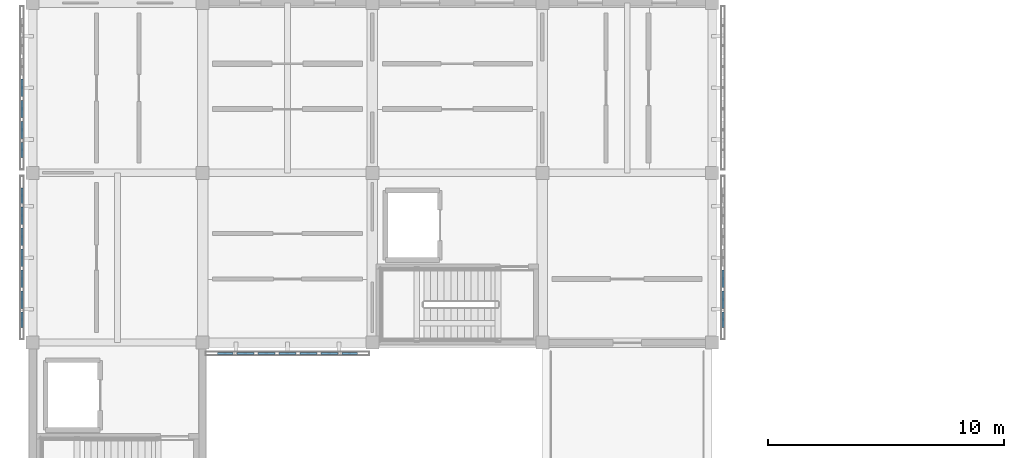
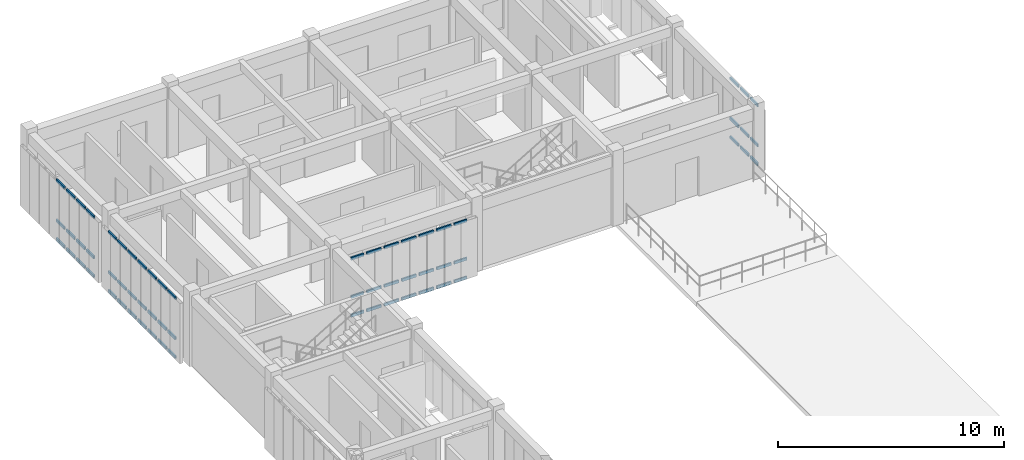
# One storey, part 9 of 33: 63 members, 4 elements without a shape of their own.
"""IFC4 building model written with IfcOpenShell, lengths in metres."""

import ifcopenshell
import ifcopenshell.guid

model = None  # the IFC model being written
_history = None  # IfcOwnerHistory: only IFC2X3 demands one
_inside = {}  # id of a spatial element -> (the spatial element, [elements in it])
_under = {}  # id of a project, library or spatial element -> (it, [spatial elements below it])
_declared = {}  # id of a project -> (the project, [libraries it declares])
_typed = {}  # id of a type object -> (the type object, [elements of that type])
_made_of = {}  # id of a material, layer set ... -> (it, [elements and type objects made of it])


def new_model(schema):
    """Start an empty IFC model of exactly this schema.

    Asked for "IFC4X3", IfcOpenShell would pick the latest addendum, in which some entities
    have other attributes; the version numbers below select the first issue.
    IFC2X3 requires an IfcOwnerHistory on every rooted entity: one is made here for all.
    """
    global model, _history
    if schema == "IFC4X3":
        model = ifcopenshell.file(schema_version=(4, 3, 0, 0))
    else:
        model = ifcopenshell.file(schema=schema)
    _inside.clear()
    _under.clear()
    _declared.clear()
    _typed.clear()
    _made_of.clear()
    _history = None
    if model.schema == "IFC2X3":
        org = make("IfcOrganization", Name="unknown")
        user = make(
            "IfcPersonAndOrganization",
            ThePerson=make("IfcPerson", FamilyName="unknown"),
            TheOrganization=org,
        )
        app = make(
            "IfcApplication",
            ApplicationDeveloper=org,
            Version="unknown",
            ApplicationFullName="unknown",
            ApplicationIdentifier="unknown",
        )
        _history = make(
            "IfcOwnerHistory",
            OwningUser=user,
            OwningApplication=app,
            ChangeAction="ADDED",
            CreationDate=0,
        )
    return model


def make(cls, **values):
    """One entity of the class cls with the attributes given. An attribute that is None is left unset."""
    return model.create_entity(
        cls, **{name: value for name, value in values.items() if value is not None}
    )


def rooted(cls, **values):
    """An entity with a GlobalId (a new one), such as an element, a storey or a relation."""
    return make(cls, GlobalId=ifcopenshell.guid.new(), OwnerHistory=_history, **values)


def si_unit(unit_type, name, prefix=None):
    """IfcSIUnit, for example si_unit("LENGTHUNIT", "METRE", prefix="MILLI")."""
    return make("IfcSIUnit", UnitType=unit_type, Prefix=prefix, Name=name)


def assignment(units):
    """IfcUnitAssignment: the units of a project."""
    return None if units is None else make("IfcUnitAssignment", Units=units)


def point(xyz):
    """IfcCartesianPoint."""
    return None if xyz is None else make("IfcCartesianPoint", Coordinates=xyz)


def direction(xyz):
    """IfcDirection."""
    return None if xyz is None else make("IfcDirection", DirectionRatios=xyz)


def frame(location, z_axis=None, x_axis=None):
    """IfcAxis2Placement3D, a coordinate frame: its origin and axes. An axis left out is left unset."""
    return make(
        "IfcAxis2Placement3D",
        Location=point(location),
        Axis=direction(z_axis),
        RefDirection=direction(x_axis),
    )


def frame_2d(location, x_axis=None):
    """IfcAxis2Placement2D, a coordinate frame in the plane: its origin and x axis."""
    return make(
        "IfcAxis2Placement2D", Location=point(location), RefDirection=direction(x_axis)
    )


def origin():
    """The frame at (0, 0, 0) with its axes left unset."""
    return frame((0.0, 0.0, 0.0))


def origin_2d():
    """The frame at (0, 0) in the plane with its x axis left unset."""
    return frame_2d((0.0, 0.0))


def place(relative_to, where):
    """IfcLocalPlacement: puts the frame where relative to a parent placement (None: the world)."""
    return make(
        "IfcLocalPlacement", PlacementRelTo=relative_to, RelativePlacement=where
    )


def context(
    kind, dimensions, precision=None, world=None, true_north=None, identifier=None
):
    """IfcGeometricRepresentationContext, for example the 3D "Model" context."""
    return make(
        "IfcGeometricRepresentationContext",
        ContextIdentifier=identifier,
        ContextType=kind,
        CoordinateSpaceDimension=dimensions,
        Precision=precision,
        WorldCoordinateSystem=world,
        TrueNorth=true_north,
    )


def subcontext(parent, identifier, kind, view, scale=None):
    """IfcGeometricRepresentationSubContext, for example "Body" below "Model"."""
    return make(
        "IfcGeometricRepresentationSubContext",
        ContextIdentifier=identifier,
        ContextType=kind,
        ParentContext=parent,
        TargetScale=scale,
        TargetView=view,
    )


def project(units=None, contexts=None):
    """IfcProject with its units and contexts."""
    return rooted(
        "IfcProject",
        Name="project",
        RepresentationContexts=contexts,
        UnitsInContext=assignment(units),
    )


def spatial(cls, under=None, at=None, **own):
    """A site, building, storey or space (cls), placed at a placement, below another one or the project."""
    s = rooted(cls, ObjectPlacement=at, **own)
    if under is not None:
        _under.setdefault(under.id(), (under, []))[1].append(s)
    return s


def profile(cls, at=None, kind="AREA", **sizes):
    """A parametric profile (cls). Its sizes go by their IFC names, for example OverallWidth=200.0."""
    return make(cls, ProfileType=kind, Position=at, **sizes)


def hollow_rectangle(**sizes):
    """IfcRectangleHollowProfileDef."""
    return profile("IfcRectangleHollowProfileDef", **sizes)


def extrude(swept, where, along, depth):
    """IfcExtrudedAreaSolid: the profile swept, set in the frame where, extruded along a direction by depth."""
    return make(
        "IfcExtrudedAreaSolid",
        SweptArea=swept,
        Position=where,
        ExtrudedDirection=direction(along),
        Depth=depth,
    )


def shape(context_of_items, identifier, shape_type, items):
    """IfcShapeRepresentation: the items that make up one representation, for example the "Body"."""
    return make(
        "IfcShapeRepresentation",
        ContextOfItems=context_of_items,
        RepresentationIdentifier=identifier,
        RepresentationType=shape_type,
        Items=items,
    )


def material(Name=None, Category=None):
    """IfcMaterial."""
    return make("IfcMaterial", Name=Name, Category=Category)


def material_profile(
    of_material, cross_section, Name=None, Category=None, Priority=None
):
    """IfcMaterialProfile: a cross section and its material."""
    return make(
        "IfcMaterialProfile",
        Name=Name,
        Material=of_material,
        Profile=cross_section,
        Priority=Priority,
        Category=Category,
    )


def profile_set(profiles, Name=None, composite=None):
    """IfcMaterialProfileSet."""
    return make(
        "IfcMaterialProfileSet",
        Name=Name,
        MaterialProfiles=profiles,
        CompositeProfile=composite,
    )


def made_of(thing, what):
    """Note that an element or type object is made of a material, layer set ...; save() writes the relation."""
    if what is not None:
        _made_of.setdefault(what.id(), (what, []))[1].append(thing)
    return thing


def type_object(cls, material=None, **own):
    """A type object (cls), such as IfcWallType, which elements share."""
    return made_of(rooted(cls, **own), material)


def element(
    cls,
    number,
    at=None,
    inside=None,
    cuts=None,
    type_object=None,
    material=None,
    context=None,
    identifier="Body",
    shape_type=None,
    held_by="IfcProductDefinitionShape",
    body=None,
    shapes=None,
    **own,
):
    """One element of the class cls, such as IfcWall. Its Tag is "e" and its number.

    at: its placement. inside: the storey or other place that contains it. cuts: it is an
    opening in that element (IfcRelVoidsElement). A single representation is given by context,
    identifier, shape_type and body (its items); several are given by shapes. held_by: the class
    of the entity that holds the representations. save() writes the other relations.
    """
    e = rooted(cls, Tag="e%d" % number, ObjectPlacement=at, **own)
    if body is not None:
        shapes = [shape(context, identifier, shape_type, body)]
    if shapes is not None:
        e.Representation = make(held_by, Representations=shapes)
    if inside is not None:
        _inside.setdefault(inside.id(), (inside, []))[1].append(e)
    if cuts is not None:
        rooted(
            "IfcRelVoidsElement", RelatingBuildingElement=cuts, RelatedOpeningElement=e
        )
    if type_object is not None:
        _typed.setdefault(type_object.id(), (type_object, []))[1].append(e)
    return made_of(e, material)


def aggregate(whole, parts):
    """IfcRelAggregates: a whole, such as a stair, and the parts it consists of."""
    return rooted("IfcRelAggregates", RelatingObject=whole, RelatedObjects=parts)


def save(model, path):
    """Write the relations noted so far, then the file.

    IfcRelAggregates (storeys below a building ...), IfcRelContainedInSpatialStructure (elements
    in a storey), IfcRelDefinesByType, IfcRelAssociatesMaterial and IfcRelDeclares: one each for
    every whole, place, type object, material and project.
    """
    for whole, parts in _under.values():
        aggregate(whole, parts)
    for where, things in _inside.values():
        rooted(
            "IfcRelContainedInSpatialStructure",
            RelatedElements=things,
            RelatingStructure=where,
        )
    for kind, things in _typed.values():
        rooted("IfcRelDefinesByType", RelatedObjects=things, RelatingType=kind)
    for what, things in _made_of.values():
        rooted("IfcRelAssociatesMaterial", RelatedObjects=things, RelatingMaterial=what)
    for by, libraries in _declared.values():
        rooted("IfcRelDeclares", RelatingContext=by, RelatedDefinitions=libraries)
    model.write(path)


model = new_model("IFC4")

# Units and contexts
model_context = context("Model", 3, precision=1e-05, world=origin(), true_north=direction((0.0, 1.0)))
body_context = subcontext(model_context, "Body", "Model", "MODEL_VIEW")
ifc_project = project(units=[si_unit("LENGTHUNIT", "METRE"), si_unit("AREAUNIT", "SQUARE_METRE"), si_unit("VOLUMEUNIT", "CUBIC_METRE"), si_unit("PLANEANGLEUNIT", "RADIAN"), si_unit("MASSUNIT", "GRAM", prefix="KILO")], contexts=[model_context])

# Site, building, storey
site_placement = place(None, origin())
site = spatial("IfcSite", under=ifc_project, at=site_placement, CompositionType="ELEMENT")
building_placement = place(site_placement, origin())
building = spatial("IfcBuilding", under=site, at=building_placement, Name="Aldebral Square Health Centre", CompositionType="ELEMENT")
storey_placement = place(building_placement, frame((0.0, 0.0, 17.550048828125)))
storey = spatial("IfcBuildingStorey", under=building, at=storey_placement, Name="L04", CompositionType="ELEMENT", Elevation=17.550048828125)

# Curtain wall, members
ifc_material_1 = material(Name="Aluminium and low-E solar glass", Category="aluminium")
curtain_wall_type = type_object("IfcCurtainWallType", Name="CW-FIN-SYS", PredefinedType="USERDEFINED", material=ifc_material_1)
curtain_wall_1_placement = place(storey_placement, origin())
curtain_wall_1 = element("IfcCurtainWall", 1, at=curtain_wall_1_placement, inside=storey, type_object=curtain_wall_type, Name="L04 V4 finned curtain wall L04-V4-00-14-W", ObjectType="SOLAR_CURTAIN_WALL", PredefinedType="USERDEFINED")
ifc_material_2 = material(Name="Anodised aluminium transom", Category="aluminium")
ifc_material_profile = material_profile(ifc_material_2, hollow_rectangle(XDim=0.074951171875, YDim=0.14990234375, WallThickness=0.00390625, at=origin_2d()), Name="CWT 75x150x4")
ifc_profile_set = profile_set([ifc_material_profile], Name="Anodised aluminium transom")
member_type = type_object("IfcMemberType", Name="CWT-STD", PredefinedType="USERDEFINED", material=ifc_profile_set)
member_1_placement = place(storey_placement, frame((-0.4599609375, 107.360107421875, 0.037353515625), z_axis=(0.0, -1.0, 0.0), x_axis=(1.0, 0.0, 0.0)))
member_1 = element("IfcMember", 2, at=member_1_placement, type_object=member_type, Name="CW1 transom 1.1", ObjectType="TRANSOM", PredefinedType="USERDEFINED", context=body_context, shape_type="SweptSolid", body=[
    extrude(hollow_rectangle(XDim=0.074951171875, YDim=0.14990234375, WallThickness=0.00390625, at=origin_2d()), origin(), (0.0, 0.0, 1.0), 0.651611328125),
])
member_2_placement = place(storey_placement, frame((-0.4599609375, 107.360107421875, 1.050048828125), z_axis=(0.0, -1.0, 0.0), x_axis=(1.0, 0.0, 0.0)))
member_2 = element("IfcMember", 3, at=member_2_placement, type_object=member_type, Name="CW1 transom 1.2", ObjectType="TRANSOM", PredefinedType="USERDEFINED", context=body_context, shape_type="SweptSolid", body=[
    extrude(hollow_rectangle(XDim=0.074951171875, YDim=0.14990234375, WallThickness=0.00390625, at=origin_2d()), origin(), (0.0, 0.0, 1.0), 0.651611328125),
])
member_3_placement = place(storey_placement, frame((-0.4599609375, 107.360107421875, 3.21240234375), z_axis=(0.0, -1.0, 0.0), x_axis=(1.0, 0.0, 0.0)))
member_3 = element("IfcMember", 4, at=member_3_placement, type_object=member_type, Name="CW1 transom 1.3", ObjectType="TRANSOM", PredefinedType="USERDEFINED", context=body_context, shape_type="SweptSolid", body=[
    extrude(hollow_rectangle(XDim=0.074951171875, YDim=0.14990234375, WallThickness=0.00390625, at=origin_2d()), origin(), (0.0, 0.0, 1.0), 0.651611328125),
])
member_4_placement = place(storey_placement, frame((-0.4599609375, 106.548583984375, 0.037353515625), z_axis=(0.0, -1.0, 0.0), x_axis=(1.0, 0.0, 0.0)))
member_4 = element("IfcMember", 5, at=member_4_placement, type_object=member_type, Name="CW1 transom 2.1", ObjectType="TRANSOM", PredefinedType="USERDEFINED", context=body_context, shape_type="SweptSolid", body=[
    extrude(hollow_rectangle(XDim=0.074951171875, YDim=0.14990234375, WallThickness=0.00390625, at=origin_2d()), origin(), (0.0, 0.0, 1.0), 0.7314453125),
])
member_5_placement = place(storey_placement, frame((-0.4599609375, 106.548583984375, 1.050048828125), z_axis=(0.0, -1.0, 0.0), x_axis=(1.0, 0.0, 0.0)))
member_5 = element("IfcMember", 6, at=member_5_placement, type_object=member_type, Name="CW1 transom 2.2", ObjectType="TRANSOM", PredefinedType="USERDEFINED", context=body_context, shape_type="SweptSolid", body=[
    extrude(hollow_rectangle(XDim=0.074951171875, YDim=0.14990234375, WallThickness=0.00390625, at=origin_2d()), origin(), (0.0, 0.0, 1.0), 0.7314453125),
])
member_6_placement = place(storey_placement, frame((-0.4599609375, 106.548583984375, 3.21240234375), z_axis=(0.0, -1.0, 0.0), x_axis=(1.0, 0.0, 0.0)))
member_6 = element("IfcMember", 7, at=member_6_placement, type_object=member_type, Name="CW1 transom 2.3", ObjectType="TRANSOM", PredefinedType="USERDEFINED", context=body_context, shape_type="SweptSolid", body=[
    extrude(hollow_rectangle(XDim=0.074951171875, YDim=0.14990234375, WallThickness=0.00390625, at=origin_2d()), origin(), (0.0, 0.0, 1.0), 0.7314453125),
])
member_7_placement = place(storey_placement, frame((-0.4599609375, 105.6572265625, 0.037353515625), z_axis=(0.0, -1.0, 0.0), x_axis=(1.0, 0.0, 0.0)))
member_7 = element("IfcMember", 8, at=member_7_placement, type_object=member_type, Name="CW1 transom 3.1", ObjectType="TRANSOM", PredefinedType="USERDEFINED", context=body_context, shape_type="SweptSolid", body=[
    extrude(hollow_rectangle(XDim=0.074951171875, YDim=0.14990234375, WallThickness=0.00390625, at=origin_2d()), origin(), (0.0, 0.0, 1.0), 0.7314453125),
])
member_8_placement = place(storey_placement, frame((-0.4599609375, 105.6572265625, 1.050048828125), z_axis=(0.0, -1.0, 0.0), x_axis=(1.0, 0.0, 0.0)))
member_8 = element("IfcMember", 9, at=member_8_placement, type_object=member_type, Name="CW1 transom 3.2", ObjectType="TRANSOM", PredefinedType="USERDEFINED", context=body_context, shape_type="SweptSolid", body=[
    extrude(hollow_rectangle(XDim=0.074951171875, YDim=0.14990234375, WallThickness=0.00390625, at=origin_2d()), origin(), (0.0, 0.0, 1.0), 0.7314453125),
])
member_9_placement = place(storey_placement, frame((-0.4599609375, 105.6572265625, 3.21240234375), z_axis=(0.0, -1.0, 0.0), x_axis=(1.0, 0.0, 0.0)))
member_9 = element("IfcMember", 10, at=member_9_placement, type_object=member_type, Name="CW1 transom 3.3", ObjectType="TRANSOM", PredefinedType="USERDEFINED", context=body_context, shape_type="SweptSolid", body=[
    extrude(hollow_rectangle(XDim=0.074951171875, YDim=0.14990234375, WallThickness=0.00390625, at=origin_2d()), origin(), (0.0, 0.0, 1.0), 0.7314453125),
])
member_10_placement = place(storey_placement, frame((-0.4599609375, 104.765625, 0.037353515625), z_axis=(0.0, -1.0, 0.0), x_axis=(1.0, 0.0, 0.0)))
member_10 = element("IfcMember", 11, at=member_10_placement, type_object=member_type, Name="CW1 transom 4.1", ObjectType="TRANSOM", PredefinedType="USERDEFINED", context=body_context, shape_type="SweptSolid", body=[
    extrude(hollow_rectangle(XDim=0.074951171875, YDim=0.14990234375, WallThickness=0.00390625, at=origin_2d()), origin(), (0.0, 0.0, 1.0), 0.7314453125),
])
member_11_placement = place(storey_placement, frame((-0.4599609375, 104.765625, 1.050048828125), z_axis=(0.0, -1.0, 0.0), x_axis=(1.0, 0.0, 0.0)))
member_11 = element("IfcMember", 12, at=member_11_placement, type_object=member_type, Name="CW1 transom 4.2", ObjectType="TRANSOM", PredefinedType="USERDEFINED", context=body_context, shape_type="SweptSolid", body=[
    extrude(hollow_rectangle(XDim=0.074951171875, YDim=0.14990234375, WallThickness=0.00390625, at=origin_2d()), origin(), (0.0, 0.0, 1.0), 0.7314453125),
])
member_12_placement = place(storey_placement, frame((-0.4599609375, 104.765625, 3.21240234375), z_axis=(0.0, -1.0, 0.0), x_axis=(1.0, 0.0, 0.0)))
member_12 = element("IfcMember", 13, at=member_12_placement, type_object=member_type, Name="CW1 transom 4.3", ObjectType="TRANSOM", PredefinedType="USERDEFINED", context=body_context, shape_type="SweptSolid", body=[
    extrude(hollow_rectangle(XDim=0.074951171875, YDim=0.14990234375, WallThickness=0.00390625, at=origin_2d()), origin(), (0.0, 0.0, 1.0), 0.7314453125),
])
member_13_placement = place(storey_placement, frame((-0.4599609375, 103.874267578125, 0.037353515625), z_axis=(0.0, -1.0, 0.0), x_axis=(1.0, 0.0, 0.0)))
member_13 = element("IfcMember", 14, at=member_13_placement, type_object=member_type, Name="CW1 transom 5.1", ObjectType="TRANSOM", PredefinedType="USERDEFINED", context=body_context, shape_type="SweptSolid", body=[
    extrude(hollow_rectangle(XDim=0.074951171875, YDim=0.14990234375, WallThickness=0.00390625, at=origin_2d()), origin(), (0.0, 0.0, 1.0), 0.7314453125),
])
member_14_placement = place(storey_placement, frame((-0.4599609375, 103.874267578125, 1.050048828125), z_axis=(0.0, -1.0, 0.0), x_axis=(1.0, 0.0, 0.0)))
member_14 = element("IfcMember", 15, at=member_14_placement, type_object=member_type, Name="CW1 transom 5.2", ObjectType="TRANSOM", PredefinedType="USERDEFINED", context=body_context, shape_type="SweptSolid", body=[
    extrude(hollow_rectangle(XDim=0.074951171875, YDim=0.14990234375, WallThickness=0.00390625, at=origin_2d()), origin(), (0.0, 0.0, 1.0), 0.7314453125),
])
member_15_placement = place(storey_placement, frame((-0.4599609375, 103.874267578125, 3.21240234375), z_axis=(0.0, -1.0, 0.0), x_axis=(1.0, 0.0, 0.0)))
member_15 = element("IfcMember", 16, at=member_15_placement, type_object=member_type, Name="CW1 transom 5.3", ObjectType="TRANSOM", PredefinedType="USERDEFINED", context=body_context, shape_type="SweptSolid", body=[
    extrude(hollow_rectangle(XDim=0.074951171875, YDim=0.14990234375, WallThickness=0.00390625, at=origin_2d()), origin(), (0.0, 0.0, 1.0), 0.7314453125),
])
member_16_placement = place(storey_placement, frame((-0.4599609375, 102.98291015625, 0.037353515625), z_axis=(0.0, -1.0, 0.0), x_axis=(1.0, 0.0, 0.0)))
member_16 = element("IfcMember", 17, at=member_16_placement, type_object=member_type, Name="CW1 transom 6.1", ObjectType="TRANSOM", PredefinedType="USERDEFINED", context=body_context, shape_type="SweptSolid", body=[
    extrude(hollow_rectangle(XDim=0.074951171875, YDim=0.14990234375, WallThickness=0.00390625, at=origin_2d()), origin(), (0.0, 0.0, 1.0), 0.7314453125),
])
member_17_placement = place(storey_placement, frame((-0.4599609375, 102.98291015625, 1.050048828125), z_axis=(0.0, -1.0, 0.0), x_axis=(1.0, 0.0, 0.0)))
member_17 = element("IfcMember", 18, at=member_17_placement, type_object=member_type, Name="CW1 transom 6.2", ObjectType="TRANSOM", PredefinedType="USERDEFINED", context=body_context, shape_type="SweptSolid", body=[
    extrude(hollow_rectangle(XDim=0.074951171875, YDim=0.14990234375, WallThickness=0.00390625, at=origin_2d()), origin(), (0.0, 0.0, 1.0), 0.7314453125),
])
member_18_placement = place(storey_placement, frame((-0.4599609375, 102.98291015625, 3.21240234375), z_axis=(0.0, -1.0, 0.0), x_axis=(1.0, 0.0, 0.0)))
member_18 = element("IfcMember", 19, at=member_18_placement, type_object=member_type, Name="CW1 transom 6.3", ObjectType="TRANSOM", PredefinedType="USERDEFINED", context=body_context, shape_type="SweptSolid", body=[
    extrude(hollow_rectangle(XDim=0.074951171875, YDim=0.14990234375, WallThickness=0.00390625, at=origin_2d()), origin(), (0.0, 0.0, 1.0), 0.7314453125),
])
member_19_placement = place(storey_placement, frame((-0.4599609375, 102.09130859375, 0.037353515625), z_axis=(0.0, -1.0, 0.0), x_axis=(1.0, 0.0, 0.0)))
member_19 = element("IfcMember", 20, at=member_19_placement, type_object=member_type, Name="CW1 transom 7.1", ObjectType="TRANSOM", PredefinedType="USERDEFINED", context=body_context, shape_type="SweptSolid", body=[
    extrude(hollow_rectangle(XDim=0.074951171875, YDim=0.14990234375, WallThickness=0.00390625, at=origin_2d()), origin(), (0.0, 0.0, 1.0), 0.6513671875),
])
member_20_placement = place(storey_placement, frame((-0.4599609375, 102.09130859375, 1.050048828125), z_axis=(0.0, -1.0, 0.0), x_axis=(1.0, 0.0, 0.0)))
member_20 = element("IfcMember", 21, at=member_20_placement, type_object=member_type, Name="CW1 transom 7.2", ObjectType="TRANSOM", PredefinedType="USERDEFINED", context=body_context, shape_type="SweptSolid", body=[
    extrude(hollow_rectangle(XDim=0.074951171875, YDim=0.14990234375, WallThickness=0.00390625, at=origin_2d()), origin(), (0.0, 0.0, 1.0), 0.6513671875),
])
member_21_placement = place(storey_placement, frame((-0.4599609375, 102.09130859375, 3.21240234375), z_axis=(0.0, -1.0, 0.0), x_axis=(1.0, 0.0, 0.0)))
member_21 = element("IfcMember", 22, at=member_21_placement, type_object=member_type, Name="CW1 transom 7.3", ObjectType="TRANSOM", PredefinedType="USERDEFINED", context=body_context, shape_type="SweptSolid", body=[
    extrude(hollow_rectangle(XDim=0.074951171875, YDim=0.14990234375, WallThickness=0.00390625, at=origin_2d()), origin(), (0.0, 0.0, 1.0), 0.6513671875),
])
aggregate(curtain_wall_1, [member_1, member_2, member_3, member_4, member_5, member_6, member_7, member_8, member_9, member_10, member_11, member_12, member_13, member_14, member_15, member_16, member_17, member_18, member_19, member_20, member_21])

curtain_wall_2_placement = place(storey_placement, origin())
curtain_wall_2 = element("IfcCurtainWall", 23, at=curtain_wall_2_placement, inside=storey, type_object=curtain_wall_type, Name="L04 V4 finned curtain wall L04-V4-00-15-W", ObjectType="SOLAR_CURTAIN_WALL", PredefinedType="USERDEFINED")
member_22_placement = place(storey_placement, frame((-0.4599609375, 111.9658203125, 0.037353515625), z_axis=(0.0, -1.0, 0.0), x_axis=(1.0, 0.0, 0.0)))
member_22 = element("IfcMember", 24, at=member_22_placement, type_object=member_type, Name="CW1 transom 4.1", ObjectType="TRANSOM", PredefinedType="USERDEFINED", context=body_context, shape_type="SweptSolid", body=[
    extrude(hollow_rectangle(XDim=0.074951171875, YDim=0.14990234375, WallThickness=0.00390625, at=origin_2d()), origin(), (0.0, 0.0, 1.0), 0.7314453125),
])
member_23_placement = place(storey_placement, frame((-0.4599609375, 111.9658203125, 1.050048828125), z_axis=(0.0, -1.0, 0.0), x_axis=(1.0, 0.0, 0.0)))
member_23 = element("IfcMember", 25, at=member_23_placement, type_object=member_type, Name="CW1 transom 4.2", ObjectType="TRANSOM", PredefinedType="USERDEFINED", context=body_context, shape_type="SweptSolid", body=[
    extrude(hollow_rectangle(XDim=0.074951171875, YDim=0.14990234375, WallThickness=0.00390625, at=origin_2d()), origin(), (0.0, 0.0, 1.0), 0.7314453125),
])
member_24_placement = place(storey_placement, frame((-0.4599609375, 111.9658203125, 3.21240234375), z_axis=(0.0, -1.0, 0.0), x_axis=(1.0, 0.0, 0.0)))
member_24 = element("IfcMember", 26, at=member_24_placement, type_object=member_type, Name="CW1 transom 4.3", ObjectType="TRANSOM", PredefinedType="USERDEFINED", context=body_context, shape_type="SweptSolid", body=[
    extrude(hollow_rectangle(XDim=0.074951171875, YDim=0.14990234375, WallThickness=0.00390625, at=origin_2d()), origin(), (0.0, 0.0, 1.0), 0.7314453125),
])
member_25_placement = place(storey_placement, frame((-0.4599609375, 111.07421875, 0.037353515625), z_axis=(0.0, -1.0, 0.0), x_axis=(1.0, 0.0, 0.0)))
member_25 = element("IfcMember", 27, at=member_25_placement, type_object=member_type, Name="CW1 transom 5.1", ObjectType="TRANSOM", PredefinedType="USERDEFINED", context=body_context, shape_type="SweptSolid", body=[
    extrude(hollow_rectangle(XDim=0.074951171875, YDim=0.14990234375, WallThickness=0.00390625, at=origin_2d()), origin(), (0.0, 0.0, 1.0), 0.7314453125),
])
member_26_placement = place(storey_placement, frame((-0.4599609375, 111.07421875, 1.050048828125), z_axis=(0.0, -1.0, 0.0), x_axis=(1.0, 0.0, 0.0)))
member_26 = element("IfcMember", 28, at=member_26_placement, type_object=member_type, Name="CW1 transom 5.2", ObjectType="TRANSOM", PredefinedType="USERDEFINED", context=body_context, shape_type="SweptSolid", body=[
    extrude(hollow_rectangle(XDim=0.074951171875, YDim=0.14990234375, WallThickness=0.00390625, at=origin_2d()), origin(), (0.0, 0.0, 1.0), 0.7314453125),
])
member_27_placement = place(storey_placement, frame((-0.4599609375, 111.07421875, 3.21240234375), z_axis=(0.0, -1.0, 0.0), x_axis=(1.0, 0.0, 0.0)))
member_27 = element("IfcMember", 29, at=member_27_placement, type_object=member_type, Name="CW1 transom 5.3", ObjectType="TRANSOM", PredefinedType="USERDEFINED", context=body_context, shape_type="SweptSolid", body=[
    extrude(hollow_rectangle(XDim=0.074951171875, YDim=0.14990234375, WallThickness=0.00390625, at=origin_2d()), origin(), (0.0, 0.0, 1.0), 0.7314453125),
])
member_28_placement = place(storey_placement, frame((-0.4599609375, 110.182861328125, 0.037353515625), z_axis=(0.0, -1.0, 0.0), x_axis=(1.0, 0.0, 0.0)))
member_28 = element("IfcMember", 30, at=member_28_placement, type_object=member_type, Name="CW1 transom 6.1", ObjectType="TRANSOM", PredefinedType="USERDEFINED", context=body_context, shape_type="SweptSolid", body=[
    extrude(hollow_rectangle(XDim=0.074951171875, YDim=0.14990234375, WallThickness=0.00390625, at=origin_2d()), origin(), (0.0, 0.0, 1.0), 0.7314453125),
])
member_29_placement = place(storey_placement, frame((-0.4599609375, 110.182861328125, 1.050048828125), z_axis=(0.0, -1.0, 0.0), x_axis=(1.0, 0.0, 0.0)))
member_29 = element("IfcMember", 31, at=member_29_placement, type_object=member_type, Name="CW1 transom 6.2", ObjectType="TRANSOM", PredefinedType="USERDEFINED", context=body_context, shape_type="SweptSolid", body=[
    extrude(hollow_rectangle(XDim=0.074951171875, YDim=0.14990234375, WallThickness=0.00390625, at=origin_2d()), origin(), (0.0, 0.0, 1.0), 0.7314453125),
])
member_30_placement = place(storey_placement, frame((-0.4599609375, 110.182861328125, 3.21240234375), z_axis=(0.0, -1.0, 0.0), x_axis=(1.0, 0.0, 0.0)))
member_30 = element("IfcMember", 32, at=member_30_placement, type_object=member_type, Name="CW1 transom 6.3", ObjectType="TRANSOM", PredefinedType="USERDEFINED", context=body_context, shape_type="SweptSolid", body=[
    extrude(hollow_rectangle(XDim=0.074951171875, YDim=0.14990234375, WallThickness=0.00390625, at=origin_2d()), origin(), (0.0, 0.0, 1.0), 0.7314453125),
])
member_31_placement = place(storey_placement, frame((-0.4599609375, 109.29150390625, 0.037353515625), z_axis=(0.0, -1.0, 0.0), x_axis=(1.0, 0.0, 0.0)))
member_31 = element("IfcMember", 33, at=member_31_placement, type_object=member_type, Name="CW1 transom 7.1", ObjectType="TRANSOM", PredefinedType="USERDEFINED", context=body_context, shape_type="SweptSolid", body=[
    extrude(hollow_rectangle(XDim=0.074951171875, YDim=0.14990234375, WallThickness=0.00390625, at=origin_2d()), origin(), (0.0, 0.0, 1.0), 0.651611328125),
])
member_32_placement = place(storey_placement, frame((-0.4599609375, 109.29150390625, 1.050048828125), z_axis=(0.0, -1.0, 0.0), x_axis=(1.0, 0.0, 0.0)))
member_32 = element("IfcMember", 34, at=member_32_placement, type_object=member_type, Name="CW1 transom 7.2", ObjectType="TRANSOM", PredefinedType="USERDEFINED", context=body_context, shape_type="SweptSolid", body=[
    extrude(hollow_rectangle(XDim=0.074951171875, YDim=0.14990234375, WallThickness=0.00390625, at=origin_2d()), origin(), (0.0, 0.0, 1.0), 0.651611328125),
])
member_33_placement = place(storey_placement, frame((-0.4599609375, 109.29150390625, 3.21240234375), z_axis=(0.0, -1.0, 0.0), x_axis=(1.0, 0.0, 0.0)))
member_33 = element("IfcMember", 35, at=member_33_placement, type_object=member_type, Name="CW1 transom 7.3", ObjectType="TRANSOM", PredefinedType="USERDEFINED", context=body_context, shape_type="SweptSolid", body=[
    extrude(hollow_rectangle(XDim=0.074951171875, YDim=0.14990234375, WallThickness=0.00390625, at=origin_2d()), origin(), (0.0, 0.0, 1.0), 0.651611328125),
])
aggregate(curtain_wall_2, [member_22, member_23, member_24, member_25, member_26, member_27, member_28, member_29, member_30, member_31, member_32, member_33])

curtain_wall_3_placement = place(storey_placement, origin())
curtain_wall_3 = element("IfcCurtainWall", 36, at=curtain_wall_3_placement, inside=storey, type_object=curtain_wall_type, Name="L04 V4 finned curtain wall L04-V4-01-14-S", ObjectType="SOLAR_CURTAIN_WALL", PredefinedType="USERDEFINED")
member_34_placement = place(storey_placement, frame((7.840087890625, 100.340087890625, 0.037353515625), z_axis=(1.0, 0.0, 0.0), x_axis=(0.0, 1.0, 0.0)))
member_34 = element("IfcMember", 37, at=member_34_placement, type_object=member_type, Name="CW1 transom 1.1", ObjectType="TRANSOM", PredefinedType="USERDEFINED", context=body_context, shape_type="SweptSolid", body=[
    extrude(hollow_rectangle(XDim=0.074951171875, YDim=0.14990234375, WallThickness=0.00390625, at=origin_2d()), origin(), (0.0, 0.0, 1.0), 0.6513671875),
])
member_35_placement = place(storey_placement, frame((7.840087890625, 100.340087890625, 1.050048828125), z_axis=(1.0, 0.0, 0.0), x_axis=(0.0, 1.0, 0.0)))
member_35 = element("IfcMember", 38, at=member_35_placement, type_object=member_type, Name="CW1 transom 1.2", ObjectType="TRANSOM", PredefinedType="USERDEFINED", context=body_context, shape_type="SweptSolid", body=[
    extrude(hollow_rectangle(XDim=0.074951171875, YDim=0.14990234375, WallThickness=0.00390625, at=origin_2d()), origin(), (0.0, 0.0, 1.0), 0.6513671875),
])
member_36_placement = place(storey_placement, frame((7.840087890625, 100.340087890625, 3.112548828125), z_axis=(1.0, 0.0, 0.0), x_axis=(0.0, 1.0, 0.0)))
member_36 = element("IfcMember", 39, at=member_36_placement, type_object=member_type, Name="CW1 transom 1.3", ObjectType="TRANSOM", PredefinedType="USERDEFINED", context=body_context, shape_type="SweptSolid", body=[
    extrude(hollow_rectangle(XDim=0.074951171875, YDim=0.14990234375, WallThickness=0.00390625, at=origin_2d()), origin(), (0.0, 0.0, 1.0), 0.6513671875),
])
member_37_placement = place(storey_placement, frame((8.6513671875, 100.340087890625, 0.037353515625), z_axis=(1.0, 0.0, 0.0), x_axis=(0.0, 1.0, 0.0)))
member_37 = element("IfcMember", 40, at=member_37_placement, type_object=member_type, Name="CW1 transom 2.1", ObjectType="TRANSOM", PredefinedType="USERDEFINED", context=body_context, shape_type="SweptSolid", body=[
    extrude(hollow_rectangle(XDim=0.074951171875, YDim=0.14990234375, WallThickness=0.00390625, at=origin_2d()), origin(), (0.0, 0.0, 1.0), 0.7314453125),
])
member_38_placement = place(storey_placement, frame((8.6513671875, 100.340087890625, 1.050048828125), z_axis=(1.0, 0.0, 0.0), x_axis=(0.0, 1.0, 0.0)))
member_38 = element("IfcMember", 41, at=member_38_placement, type_object=member_type, Name="CW1 transom 2.2", ObjectType="TRANSOM", PredefinedType="USERDEFINED", context=body_context, shape_type="SweptSolid", body=[
    extrude(hollow_rectangle(XDim=0.074951171875, YDim=0.14990234375, WallThickness=0.00390625, at=origin_2d()), origin(), (0.0, 0.0, 1.0), 0.7314453125),
])
member_39_placement = place(storey_placement, frame((8.6513671875, 100.340087890625, 3.112548828125), z_axis=(1.0, 0.0, 0.0), x_axis=(0.0, 1.0, 0.0)))
member_39 = element("IfcMember", 42, at=member_39_placement, type_object=member_type, Name="CW1 transom 2.3", ObjectType="TRANSOM", PredefinedType="USERDEFINED", context=body_context, shape_type="SweptSolid", body=[
    extrude(hollow_rectangle(XDim=0.074951171875, YDim=0.14990234375, WallThickness=0.00390625, at=origin_2d()), origin(), (0.0, 0.0, 1.0), 0.7314453125),
])
member_40_placement = place(storey_placement, frame((9.54296875, 100.340087890625, 0.037353515625), z_axis=(1.0, 0.0, 0.0), x_axis=(0.0, 1.0, 0.0)))
member_40 = element("IfcMember", 43, at=member_40_placement, type_object=member_type, Name="CW1 transom 3.1", ObjectType="TRANSOM", PredefinedType="USERDEFINED", context=body_context, shape_type="SweptSolid", body=[
    extrude(hollow_rectangle(XDim=0.074951171875, YDim=0.14990234375, WallThickness=0.00390625, at=origin_2d()), origin(), (0.0, 0.0, 1.0), 0.731201171875),
])
member_41_placement = place(storey_placement, frame((9.54296875, 100.340087890625, 1.050048828125), z_axis=(1.0, 0.0, 0.0), x_axis=(0.0, 1.0, 0.0)))
member_41 = element("IfcMember", 44, at=member_41_placement, type_object=member_type, Name="CW1 transom 3.2", ObjectType="TRANSOM", PredefinedType="USERDEFINED", context=body_context, shape_type="SweptSolid", body=[
    extrude(hollow_rectangle(XDim=0.074951171875, YDim=0.14990234375, WallThickness=0.00390625, at=origin_2d()), origin(), (0.0, 0.0, 1.0), 0.731201171875),
])
member_42_placement = place(storey_placement, frame((9.54296875, 100.340087890625, 3.112548828125), z_axis=(1.0, 0.0, 0.0), x_axis=(0.0, 1.0, 0.0)))
member_42 = element("IfcMember", 45, at=member_42_placement, type_object=member_type, Name="CW1 transom 3.3", ObjectType="TRANSOM", PredefinedType="USERDEFINED", context=body_context, shape_type="SweptSolid", body=[
    extrude(hollow_rectangle(XDim=0.074951171875, YDim=0.14990234375, WallThickness=0.00390625, at=origin_2d()), origin(), (0.0, 0.0, 1.0), 0.731201171875),
])
member_43_placement = place(storey_placement, frame((10.434326171875, 100.340087890625, 0.037353515625), z_axis=(1.0, 0.0, 0.0), x_axis=(0.0, 1.0, 0.0)))
member_43 = element("IfcMember", 46, at=member_43_placement, type_object=member_type, Name="CW1 transom 4.1", ObjectType="TRANSOM", PredefinedType="USERDEFINED", context=body_context, shape_type="SweptSolid", body=[
    extrude(hollow_rectangle(XDim=0.074951171875, YDim=0.14990234375, WallThickness=0.00390625, at=origin_2d()), origin(), (0.0, 0.0, 1.0), 0.7314453125),
])
member_44_placement = place(storey_placement, frame((10.434326171875, 100.340087890625, 1.050048828125), z_axis=(1.0, 0.0, 0.0), x_axis=(0.0, 1.0, 0.0)))
member_44 = element("IfcMember", 47, at=member_44_placement, type_object=member_type, Name="CW1 transom 4.2", ObjectType="TRANSOM", PredefinedType="USERDEFINED", context=body_context, shape_type="SweptSolid", body=[
    extrude(hollow_rectangle(XDim=0.074951171875, YDim=0.14990234375, WallThickness=0.00390625, at=origin_2d()), origin(), (0.0, 0.0, 1.0), 0.7314453125),
])
member_45_placement = place(storey_placement, frame((10.434326171875, 100.340087890625, 3.112548828125), z_axis=(1.0, 0.0, 0.0), x_axis=(0.0, 1.0, 0.0)))
member_45 = element("IfcMember", 48, at=member_45_placement, type_object=member_type, Name="CW1 transom 4.3", ObjectType="TRANSOM", PredefinedType="USERDEFINED", context=body_context, shape_type="SweptSolid", body=[
    extrude(hollow_rectangle(XDim=0.074951171875, YDim=0.14990234375, WallThickness=0.00390625, at=origin_2d()), origin(), (0.0, 0.0, 1.0), 0.7314453125),
])
member_46_placement = place(storey_placement, frame((11.32568359375, 100.340087890625, 0.037353515625), z_axis=(1.0, 0.0, 0.0), x_axis=(0.0, 1.0, 0.0)))
member_46 = element("IfcMember", 49, at=member_46_placement, type_object=member_type, Name="CW1 transom 5.1", ObjectType="TRANSOM", PredefinedType="USERDEFINED", context=body_context, shape_type="SweptSolid", body=[
    extrude(hollow_rectangle(XDim=0.074951171875, YDim=0.14990234375, WallThickness=0.00390625, at=origin_2d()), origin(), (0.0, 0.0, 1.0), 0.7314453125),
])
member_47_placement = place(storey_placement, frame((11.32568359375, 100.340087890625, 1.050048828125), z_axis=(1.0, 0.0, 0.0), x_axis=(0.0, 1.0, 0.0)))
member_47 = element("IfcMember", 50, at=member_47_placement, type_object=member_type, Name="CW1 transom 5.2", ObjectType="TRANSOM", PredefinedType="USERDEFINED", context=body_context, shape_type="SweptSolid", body=[
    extrude(hollow_rectangle(XDim=0.074951171875, YDim=0.14990234375, WallThickness=0.00390625, at=origin_2d()), origin(), (0.0, 0.0, 1.0), 0.7314453125),
])
member_48_placement = place(storey_placement, frame((11.32568359375, 100.340087890625, 3.112548828125), z_axis=(1.0, 0.0, 0.0), x_axis=(0.0, 1.0, 0.0)))
member_48 = element("IfcMember", 51, at=member_48_placement, type_object=member_type, Name="CW1 transom 5.3", ObjectType="TRANSOM", PredefinedType="USERDEFINED", context=body_context, shape_type="SweptSolid", body=[
    extrude(hollow_rectangle(XDim=0.074951171875, YDim=0.14990234375, WallThickness=0.00390625, at=origin_2d()), origin(), (0.0, 0.0, 1.0), 0.7314453125),
])
member_49_placement = place(storey_placement, frame((12.217041015625, 100.340087890625, 0.037353515625), z_axis=(1.0, 0.0, 0.0), x_axis=(0.0, 1.0, 0.0)))
member_49 = element("IfcMember", 52, at=member_49_placement, type_object=member_type, Name="CW1 transom 6.1", ObjectType="TRANSOM", PredefinedType="USERDEFINED", context=body_context, shape_type="SweptSolid", body=[
    extrude(hollow_rectangle(XDim=0.074951171875, YDim=0.14990234375, WallThickness=0.00390625, at=origin_2d()), origin(), (0.0, 0.0, 1.0), 0.7314453125),
])
member_50_placement = place(storey_placement, frame((12.217041015625, 100.340087890625, 1.050048828125), z_axis=(1.0, 0.0, 0.0), x_axis=(0.0, 1.0, 0.0)))
member_50 = element("IfcMember", 53, at=member_50_placement, type_object=member_type, Name="CW1 transom 6.2", ObjectType="TRANSOM", PredefinedType="USERDEFINED", context=body_context, shape_type="SweptSolid", body=[
    extrude(hollow_rectangle(XDim=0.074951171875, YDim=0.14990234375, WallThickness=0.00390625, at=origin_2d()), origin(), (0.0, 0.0, 1.0), 0.7314453125),
])
member_51_placement = place(storey_placement, frame((12.217041015625, 100.340087890625, 3.112548828125), z_axis=(1.0, 0.0, 0.0), x_axis=(0.0, 1.0, 0.0)))
member_51 = element("IfcMember", 54, at=member_51_placement, type_object=member_type, Name="CW1 transom 6.3", ObjectType="TRANSOM", PredefinedType="USERDEFINED", context=body_context, shape_type="SweptSolid", body=[
    extrude(hollow_rectangle(XDim=0.074951171875, YDim=0.14990234375, WallThickness=0.00390625, at=origin_2d()), origin(), (0.0, 0.0, 1.0), 0.7314453125),
])
member_52_placement = place(storey_placement, frame((13.108642578125, 100.340087890625, 0.037353515625), z_axis=(1.0, 0.0, 0.0), x_axis=(0.0, 1.0, 0.0)))
member_52 = element("IfcMember", 55, at=member_52_placement, type_object=member_type, Name="CW1 transom 7.1", ObjectType="TRANSOM", PredefinedType="USERDEFINED", context=body_context, shape_type="SweptSolid", body=[
    extrude(hollow_rectangle(XDim=0.074951171875, YDim=0.14990234375, WallThickness=0.00390625, at=origin_2d()), origin(), (0.0, 0.0, 1.0), 0.6513671875),
])
member_53_placement = place(storey_placement, frame((13.108642578125, 100.340087890625, 1.050048828125), z_axis=(1.0, 0.0, 0.0), x_axis=(0.0, 1.0, 0.0)))
member_53 = element("IfcMember", 56, at=member_53_placement, type_object=member_type, Name="CW1 transom 7.2", ObjectType="TRANSOM", PredefinedType="USERDEFINED", context=body_context, shape_type="SweptSolid", body=[
    extrude(hollow_rectangle(XDim=0.074951171875, YDim=0.14990234375, WallThickness=0.00390625, at=origin_2d()), origin(), (0.0, 0.0, 1.0), 0.6513671875),
])
member_54_placement = place(storey_placement, frame((13.108642578125, 100.340087890625, 3.112548828125), z_axis=(1.0, 0.0, 0.0), x_axis=(0.0, 1.0, 0.0)))
member_54 = element("IfcMember", 57, at=member_54_placement, type_object=member_type, Name="CW1 transom 7.3", ObjectType="TRANSOM", PredefinedType="USERDEFINED", context=body_context, shape_type="SweptSolid", body=[
    extrude(hollow_rectangle(XDim=0.074951171875, YDim=0.14990234375, WallThickness=0.00390625, at=origin_2d()), origin(), (0.0, 0.0, 1.0), 0.6513671875),
])
aggregate(curtain_wall_3, [member_34, member_35, member_36, member_37, member_38, member_39, member_40, member_41, member_42, member_43, member_44, member_45, member_46, member_47, member_48, member_49, member_50, member_51, member_52, member_53, member_54])

curtain_wall_4_placement = place(storey_placement, origin())
curtain_wall_4 = element("IfcCurtainWall", 58, at=curtain_wall_4_placement, inside=storey, type_object=curtain_wall_type, Name="L04 V4 finned curtain wall L04-V4-03-14-E", ObjectType="SOLAR_CURTAIN_WALL", PredefinedType="USERDEFINED")
member_55_placement = place(storey_placement, frame((29.260009765625, 101.43994140625, 0.037353515625), z_axis=(0.0, 1.0, 0.0), x_axis=(-1.0, 0.0, 0.0)))
member_55 = element("IfcMember", 59, at=member_55_placement, type_object=member_type, Name="CW1 transom 1.1", ObjectType="TRANSOM", PredefinedType="USERDEFINED", context=body_context, shape_type="SweptSolid", body=[
    extrude(hollow_rectangle(XDim=0.074951171875, YDim=0.14990234375, WallThickness=0.00390625, at=origin_2d()), origin(), (0.0, 0.0, 1.0), 0.6513671875),
])
member_56_placement = place(storey_placement, frame((29.260009765625, 101.43994140625, 1.050048828125), z_axis=(0.0, 1.0, 0.0), x_axis=(-1.0, 0.0, 0.0)))
member_56 = element("IfcMember", 60, at=member_56_placement, type_object=member_type, Name="CW1 transom 1.2", ObjectType="TRANSOM", PredefinedType="USERDEFINED", context=body_context, shape_type="SweptSolid", body=[
    extrude(hollow_rectangle(XDim=0.074951171875, YDim=0.14990234375, WallThickness=0.00390625, at=origin_2d()), origin(), (0.0, 0.0, 1.0), 0.6513671875),
])
member_57_placement = place(storey_placement, frame((29.260009765625, 101.43994140625, 3.21240234375), z_axis=(0.0, 1.0, 0.0), x_axis=(-1.0, 0.0, 0.0)))
member_57 = element("IfcMember", 61, at=member_57_placement, type_object=member_type, Name="CW1 transom 1.3", ObjectType="TRANSOM", PredefinedType="USERDEFINED", context=body_context, shape_type="SweptSolid", body=[
    extrude(hollow_rectangle(XDim=0.074951171875, YDim=0.14990234375, WallThickness=0.00390625, at=origin_2d()), origin(), (0.0, 0.0, 1.0), 0.6513671875),
])
member_58_placement = place(storey_placement, frame((29.260009765625, 102.25146484375, 0.037353515625), z_axis=(0.0, 1.0, 0.0), x_axis=(-1.0, 0.0, 0.0)))
member_58 = element("IfcMember", 62, at=member_58_placement, type_object=member_type, Name="CW1 transom 2.1", ObjectType="TRANSOM", PredefinedType="USERDEFINED", context=body_context, shape_type="SweptSolid", body=[
    extrude(hollow_rectangle(XDim=0.074951171875, YDim=0.14990234375, WallThickness=0.00390625, at=origin_2d()), origin(), (0.0, 0.0, 1.0), 0.7314453125),
])
member_59_placement = place(storey_placement, frame((29.260009765625, 102.25146484375, 1.050048828125), z_axis=(0.0, 1.0, 0.0), x_axis=(-1.0, 0.0, 0.0)))
member_59 = element("IfcMember", 63, at=member_59_placement, type_object=member_type, Name="CW1 transom 2.2", ObjectType="TRANSOM", PredefinedType="USERDEFINED", context=body_context, shape_type="SweptSolid", body=[
    extrude(hollow_rectangle(XDim=0.074951171875, YDim=0.14990234375, WallThickness=0.00390625, at=origin_2d()), origin(), (0.0, 0.0, 1.0), 0.7314453125),
])
member_60_placement = place(storey_placement, frame((29.260009765625, 102.25146484375, 3.21240234375), z_axis=(0.0, 1.0, 0.0), x_axis=(-1.0, 0.0, 0.0)))
member_60 = element("IfcMember", 64, at=member_60_placement, type_object=member_type, Name="CW1 transom 2.3", ObjectType="TRANSOM", PredefinedType="USERDEFINED", context=body_context, shape_type="SweptSolid", body=[
    extrude(hollow_rectangle(XDim=0.074951171875, YDim=0.14990234375, WallThickness=0.00390625, at=origin_2d()), origin(), (0.0, 0.0, 1.0), 0.7314453125),
])
member_61_placement = place(storey_placement, frame((29.260009765625, 103.142822265625, 0.037353515625), z_axis=(0.0, 1.0, 0.0), x_axis=(-1.0, 0.0, 0.0)))
member_61 = element("IfcMember", 65, at=member_61_placement, type_object=member_type, Name="CW1 transom 3.1", ObjectType="TRANSOM", PredefinedType="USERDEFINED", context=body_context, shape_type="SweptSolid", body=[
    extrude(hollow_rectangle(XDim=0.074951171875, YDim=0.14990234375, WallThickness=0.00390625, at=origin_2d()), origin(), (0.0, 0.0, 1.0), 0.7314453125),
])
member_62_placement = place(storey_placement, frame((29.260009765625, 103.142822265625, 1.050048828125), z_axis=(0.0, 1.0, 0.0), x_axis=(-1.0, 0.0, 0.0)))
member_62 = element("IfcMember", 66, at=member_62_placement, type_object=member_type, Name="CW1 transom 3.2", ObjectType="TRANSOM", PredefinedType="USERDEFINED", context=body_context, shape_type="SweptSolid", body=[
    extrude(hollow_rectangle(XDim=0.074951171875, YDim=0.14990234375, WallThickness=0.00390625, at=origin_2d()), origin(), (0.0, 0.0, 1.0), 0.7314453125),
])
member_63_placement = place(storey_placement, frame((29.260009765625, 103.142822265625, 3.21240234375), z_axis=(0.0, 1.0, 0.0), x_axis=(-1.0, 0.0, 0.0)))
member_63 = element("IfcMember", 67, at=member_63_placement, type_object=member_type, Name="CW1 transom 3.3", ObjectType="TRANSOM", PredefinedType="USERDEFINED", context=body_context, shape_type="SweptSolid", body=[
    extrude(hollow_rectangle(XDim=0.074951171875, YDim=0.14990234375, WallThickness=0.00390625, at=origin_2d()), origin(), (0.0, 0.0, 1.0), 0.7314453125),
])
aggregate(curtain_wall_4, [member_55, member_56, member_57, member_58, member_59, member_60, member_61, member_62, member_63])

save(model, "model.ifc")
